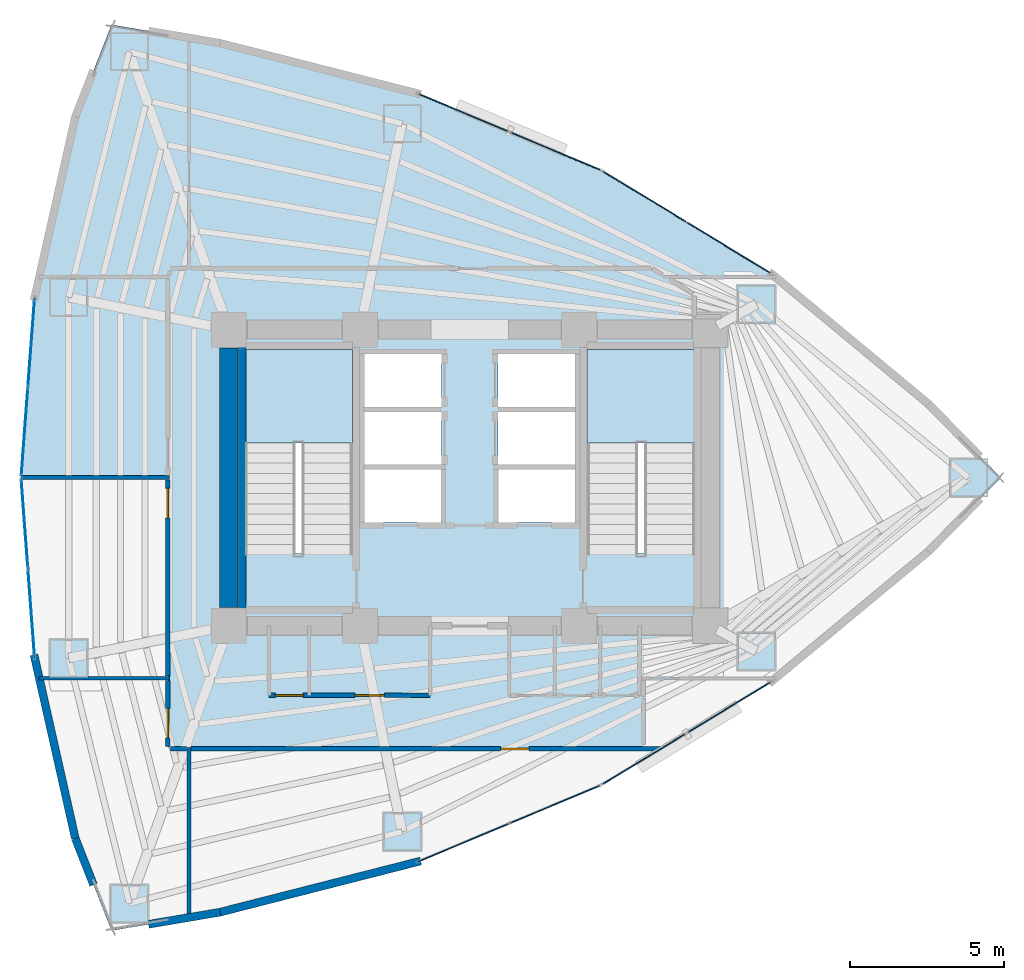
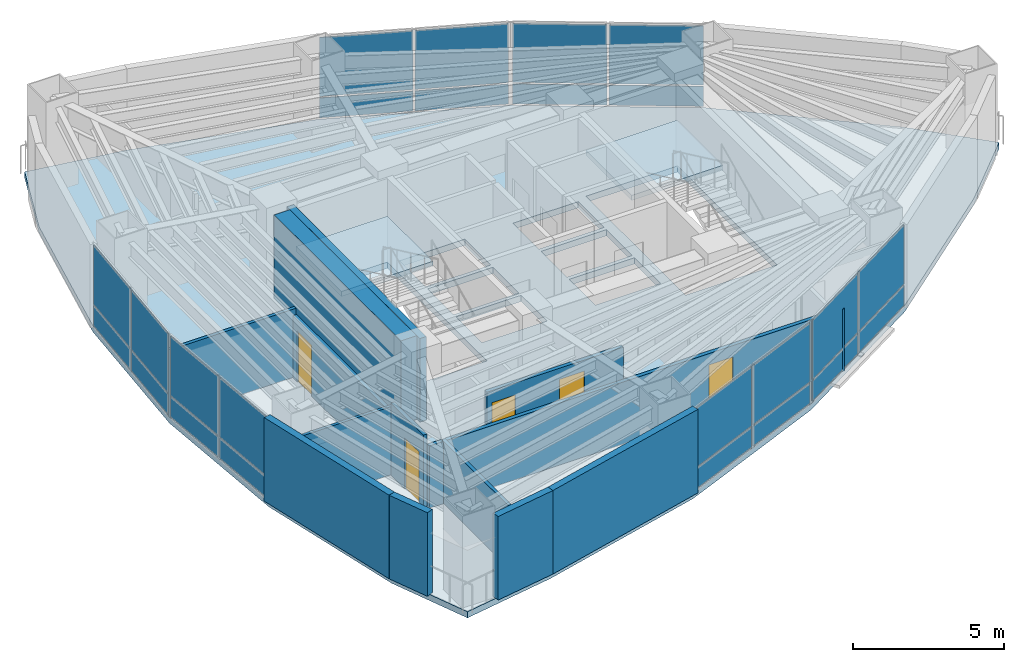
# One storey, part 12 of 16: 24 plates, 14 walls, 5 doors, 3 slabs, 5 openings, 8 elements without a shape of their own.
"""IFC4 building model written with IfcOpenShell, lengths in metres."""

import ifcopenshell
import ifcopenshell.guid

model = None  # the IFC model being written
_history = None  # IfcOwnerHistory: only IFC2X3 demands one
_inside = {}  # id of a spatial element -> (the spatial element, [elements in it])
_under = {}  # id of a project, library or spatial element -> (it, [spatial elements below it])
_declared = {}  # id of a project -> (the project, [libraries it declares])
_typed = {}  # id of a type object -> (the type object, [elements of that type])
_made_of = {}  # id of a material, layer set ... -> (it, [elements and type objects made of it])


def new_model(schema):
    """Start an empty IFC model of exactly this schema.

    Asked for "IFC4X3", IfcOpenShell would pick the latest addendum, in which some entities
    have other attributes; the version numbers below select the first issue.
    IFC2X3 requires an IfcOwnerHistory on every rooted entity: one is made here for all.
    """
    global model, _history
    if schema == "IFC4X3":
        model = ifcopenshell.file(schema_version=(4, 3, 0, 0))
    else:
        model = ifcopenshell.file(schema=schema)
    _inside.clear()
    _under.clear()
    _declared.clear()
    _typed.clear()
    _made_of.clear()
    _history = None
    if model.schema == "IFC2X3":
        org = make("IfcOrganization", Name="unknown")
        user = make(
            "IfcPersonAndOrganization",
            ThePerson=make("IfcPerson", FamilyName="unknown"),
            TheOrganization=org,
        )
        app = make(
            "IfcApplication",
            ApplicationDeveloper=org,
            Version="unknown",
            ApplicationFullName="unknown",
            ApplicationIdentifier="unknown",
        )
        _history = make(
            "IfcOwnerHistory",
            OwningUser=user,
            OwningApplication=app,
            ChangeAction="ADDED",
            CreationDate=0,
        )
    return model


def make(cls, **values):
    """One entity of the class cls with the attributes given. An attribute that is None is left unset."""
    return model.create_entity(
        cls, **{name: value for name, value in values.items() if value is not None}
    )


def rooted(cls, **values):
    """An entity with a GlobalId (a new one), such as an element, a storey or a relation."""
    return make(cls, GlobalId=ifcopenshell.guid.new(), OwnerHistory=_history, **values)


def si_unit(unit_type, name, prefix=None):
    """IfcSIUnit, for example si_unit("LENGTHUNIT", "METRE", prefix="MILLI")."""
    return make("IfcSIUnit", UnitType=unit_type, Prefix=prefix, Name=name)


def assignment(units):
    """IfcUnitAssignment: the units of a project."""
    return None if units is None else make("IfcUnitAssignment", Units=units)


def point(xyz):
    """IfcCartesianPoint."""
    return None if xyz is None else make("IfcCartesianPoint", Coordinates=xyz)


def direction(xyz):
    """IfcDirection."""
    return None if xyz is None else make("IfcDirection", DirectionRatios=xyz)


def frame(location, z_axis=None, x_axis=None):
    """IfcAxis2Placement3D, a coordinate frame: its origin and axes. An axis left out is left unset."""
    return make(
        "IfcAxis2Placement3D",
        Location=point(location),
        Axis=direction(z_axis),
        RefDirection=direction(x_axis),
    )


def frame_2d(location, x_axis=None):
    """IfcAxis2Placement2D, a coordinate frame in the plane: its origin and x axis."""
    return make(
        "IfcAxis2Placement2D", Location=point(location), RefDirection=direction(x_axis)
    )


def origin():
    """The frame at (0, 0, 0) with its axes left unset."""
    return frame((0.0, 0.0, 0.0))


def origin_2d():
    """The frame at (0, 0) in the plane with its x axis left unset."""
    return frame_2d((0.0, 0.0))


def place(relative_to, where):
    """IfcLocalPlacement: puts the frame where relative to a parent placement (None: the world)."""
    return make(
        "IfcLocalPlacement", PlacementRelTo=relative_to, RelativePlacement=where
    )


def context(
    kind, dimensions, precision=None, world=None, true_north=None, identifier=None
):
    """IfcGeometricRepresentationContext, for example the 3D "Model" context."""
    return make(
        "IfcGeometricRepresentationContext",
        ContextIdentifier=identifier,
        ContextType=kind,
        CoordinateSpaceDimension=dimensions,
        Precision=precision,
        WorldCoordinateSystem=world,
        TrueNorth=true_north,
    )


def subcontext(parent, identifier, kind, view, scale=None):
    """IfcGeometricRepresentationSubContext, for example "Body" below "Model"."""
    return make(
        "IfcGeometricRepresentationSubContext",
        ContextIdentifier=identifier,
        ContextType=kind,
        ParentContext=parent,
        TargetScale=scale,
        TargetView=view,
    )


def project(units=None, contexts=None):
    """IfcProject with its units and contexts."""
    return rooted(
        "IfcProject",
        Name="project",
        RepresentationContexts=contexts,
        UnitsInContext=assignment(units),
    )


def spatial(cls, under=None, at=None, **own):
    """A site, building, storey or space (cls), placed at a placement, below another one or the project."""
    s = rooted(cls, ObjectPlacement=at, **own)
    if under is not None:
        _under.setdefault(under.id(), (under, []))[1].append(s)
    return s


def polyline(points):
    """IfcPolyline through the points."""
    return make("IfcPolyline", Points=[point(p) for p in points])


def profile(cls, at=None, kind="AREA", **sizes):
    """A parametric profile (cls). Its sizes go by their IFC names, for example OverallWidth=200.0."""
    return make(cls, ProfileType=kind, Position=at, **sizes)


def rectangle(**sizes):
    """IfcRectangleProfileDef."""
    return profile("IfcRectangleProfileDef", **sizes)


def outline(outer, holes=None, kind="AREA"):
    """IfcArbitraryClosedProfileDef: a profile drawn as a closed curve; with holes, ...WithVoids."""
    if holes is None:
        return make("IfcArbitraryClosedProfileDef", ProfileType=kind, OuterCurve=outer)
    return make(
        "IfcArbitraryProfileDefWithVoids",
        ProfileType=kind,
        OuterCurve=outer,
        InnerCurves=holes,
    )


def extrude(swept, where, along, depth):
    """IfcExtrudedAreaSolid: the profile swept, set in the frame where, extruded along a direction by depth."""
    return make(
        "IfcExtrudedAreaSolid",
        SweptArea=swept,
        Position=where,
        ExtrudedDirection=direction(along),
        Depth=depth,
    )


def shape(context_of_items, identifier, shape_type, items):
    """IfcShapeRepresentation: the items that make up one representation, for example the "Body"."""
    return make(
        "IfcShapeRepresentation",
        ContextOfItems=context_of_items,
        RepresentationIdentifier=identifier,
        RepresentationType=shape_type,
        Items=items,
    )


def material(Name=None, Category=None):
    """IfcMaterial."""
    return make("IfcMaterial", Name=Name, Category=Category)


def layer(
    of_material, thickness, ventilated=None, Name=None, Category=None, Priority=None
):
    """IfcMaterialLayer: one layer of a wall or slab, of a material (None: an air gap)."""
    return make(
        "IfcMaterialLayer",
        Material=of_material,
        LayerThickness=thickness,
        IsVentilated=ventilated,
        Name=Name,
        Category=Category,
        Priority=Priority,
    )


def layer_set(layers, Name=None):
    """IfcMaterialLayerSet."""
    return make("IfcMaterialLayerSet", MaterialLayers=layers, LayerSetName=Name)


def made_of(thing, what):
    """Note that an element or type object is made of a material, layer set ...; save() writes the relation."""
    if what is not None:
        _made_of.setdefault(what.id(), (what, []))[1].append(thing)
    return thing


def type_object(cls, material=None, **own):
    """A type object (cls), such as IfcWallType, which elements share."""
    return made_of(rooted(cls, **own), material)


def element(
    cls,
    number,
    at=None,
    inside=None,
    cuts=None,
    type_object=None,
    material=None,
    context=None,
    identifier="Body",
    shape_type=None,
    held_by="IfcProductDefinitionShape",
    body=None,
    shapes=None,
    **own,
):
    """One element of the class cls, such as IfcWall. Its Tag is "e" and its number.

    at: its placement. inside: the storey or other place that contains it. cuts: it is an
    opening in that element (IfcRelVoidsElement). A single representation is given by context,
    identifier, shape_type and body (its items); several are given by shapes. held_by: the class
    of the entity that holds the representations. save() writes the other relations.
    """
    e = rooted(cls, Tag="e%d" % number, ObjectPlacement=at, **own)
    if body is not None:
        shapes = [shape(context, identifier, shape_type, body)]
    if shapes is not None:
        e.Representation = make(held_by, Representations=shapes)
    if inside is not None:
        _inside.setdefault(inside.id(), (inside, []))[1].append(e)
    if cuts is not None:
        rooted(
            "IfcRelVoidsElement", RelatingBuildingElement=cuts, RelatedOpeningElement=e
        )
    if type_object is not None:
        _typed.setdefault(type_object.id(), (type_object, []))[1].append(e)
    return made_of(e, material)


def fill(opening, filler):
    """IfcRelFillsElement: the door or window that sits in an opening."""
    return rooted(
        "IfcRelFillsElement",
        RelatingOpeningElement=opening,
        RelatedBuildingElement=filler,
    )


def aggregate(whole, parts):
    """IfcRelAggregates: a whole, such as a stair, and the parts it consists of."""
    return rooted("IfcRelAggregates", RelatingObject=whole, RelatedObjects=parts)


def save(model, path):
    """Write the relations noted so far, then the file.

    IfcRelAggregates (storeys below a building ...), IfcRelContainedInSpatialStructure (elements
    in a storey), IfcRelDefinesByType, IfcRelAssociatesMaterial and IfcRelDeclares: one each for
    every whole, place, type object, material and project.
    """
    for whole, parts in _under.values():
        aggregate(whole, parts)
    for where, things in _inside.values():
        rooted(
            "IfcRelContainedInSpatialStructure",
            RelatedElements=things,
            RelatingStructure=where,
        )
    for kind, things in _typed.values():
        rooted("IfcRelDefinesByType", RelatedObjects=things, RelatingType=kind)
    for what, things in _made_of.values():
        rooted("IfcRelAssociatesMaterial", RelatedObjects=things, RelatingMaterial=what)
    for by, libraries in _declared.values():
        rooted("IfcRelDeclares", RelatingContext=by, RelatedDefinitions=libraries)
    model.write(path)


model = new_model("IFC4")

# Units and contexts
model_context = context("Model", 3, precision=1e-05, world=origin(), true_north=direction((0.0, 1.0)))
body_context = subcontext(model_context, "Body", "Model", "MODEL_VIEW")
ifc_project = project(units=[si_unit("LENGTHUNIT", "METRE"), si_unit("AREAUNIT", "SQUARE_METRE"), si_unit("VOLUMEUNIT", "CUBIC_METRE"), si_unit("PLANEANGLEUNIT", "RADIAN"), si_unit("MASSUNIT", "GRAM", prefix="KILO")], contexts=[model_context])

# Site, building, storey
site_placement = place(None, origin())
site = spatial("IfcSite", under=ifc_project, at=site_placement, CompositionType="ELEMENT")
building_placement = place(site_placement, origin())
building = spatial("IfcBuilding", under=site, at=building_placement, Name="Menara Vayukalpa", CompositionType="ELEMENT")
storey_placement = place(building_placement, frame((0.0, 0.0, 79.679931640625)))
storey = spatial("IfcBuildingStorey", under=building, at=storey_placement, Name="L19", CompositionType="ELEMENT", Elevation=79.679931640625)

# Curtain wall, plates
ifc_material_1 = material(Name="Anodised Terracotta Aluminium Alloy 6063-T6", Category="masonry")
ifc_layer_1 = layer(ifc_material_1, 0.1650390625)
ifc_layer_set_1 = layer_set([ifc_layer_1], Name="Anodised Terracotta Aluminium Alloy 6063-T6")
curtain_wall_type = type_object("IfcCurtainWallType", Name="CW-CW2", PredefinedType="USERDEFINED", material=ifc_layer_set_1)
curtain_wall_1_placement = place(storey_placement, origin())
curtain_wall_1 = element("IfcCurtainWall", 1, at=curtain_wall_1_placement, inside=storey, type_object=curtain_wall_type, Name="L19 Low Rise Terracotta Ribbon Curtain Wall CW2 04", ObjectType="UNITISED", PredefinedType="USERDEFINED")
ifc_material_2 = material(Name="Low-E Double Glazing", Category="glass")
ifc_layer_2 = layer(ifc_material_2, 0.031982421875)
ifc_layer_set_2 = layer_set([ifc_layer_2], Name="Low-E Double Glazing")
plate_type = type_object("IfcPlateType", Name="CWP-CW2", PredefinedType="CURTAIN_PANEL", material=ifc_layer_set_2)
plate_1_placement = place(storey_placement, frame((33.990966796875, 29.44921875, 0.06494140625), z_axis=(0.0, 0.0, 1.0), x_axis=(-0.854663123674, 0.519182959112, 0.0)))
plate_1 = element("IfcPlate", 2, at=plate_1_placement, type_object=plate_type, Name="CW2 panel 1.1", PredefinedType="CURTAIN_PANEL", context=body_context, shape_type="SweptSolid", body=[
    extrude(rectangle(XDim=3.12451171875, YDim=0.031982421875, at=origin_2d()), origin(), (0.0, 0.0, 1.0), 0.802490234375),
])
plate_2_placement = place(storey_placement, frame((33.990966796875, 29.44921875, 0.9326171875), z_axis=(0.0, 0.0, 1.0), x_axis=(-0.854663123674, 0.519182959112, 0.0)))
plate_2 = element("IfcPlate", 3, at=plate_2_placement, type_object=plate_type, Name="CW2 panel 1.2", PredefinedType="CURTAIN_PANEL", context=body_context, shape_type="SweptSolid", body=[
    extrude(rectangle(XDim=3.12451171875, YDim=0.031982421875, at=origin_2d()), origin(), (0.0, 0.0, 1.0), 2.382568359375),
])
plate_3_placement = place(storey_placement, frame((31.260986328125, 31.10791015625, 0.06494140625), z_axis=(0.0, 0.0, 1.0), x_axis=(-0.854663123674, 0.519182959112, 0.0)))
plate_3 = element("IfcPlate", 4, at=plate_3_placement, type_object=plate_type, Name="CW2 panel 2.1", PredefinedType="CURTAIN_PANEL", context=body_context, shape_type="SweptSolid", body=[
    extrude(rectangle(XDim=3.12451171875, YDim=0.031982421875, at=origin_2d()), origin(), (0.0, 0.0, 1.0), 0.802490234375),
])
plate_4_placement = place(storey_placement, frame((31.260986328125, 31.10791015625, 0.9326171875), z_axis=(0.0, 0.0, 1.0), x_axis=(-0.854663123674, 0.519182959112, 0.0)))
plate_4 = element("IfcPlate", 5, at=plate_4_placement, type_object=plate_type, Name="CW2 panel 2.2", PredefinedType="CURTAIN_PANEL", context=body_context, shape_type="SweptSolid", body=[
    extrude(rectangle(XDim=3.12451171875, YDim=0.031982421875, at=origin_2d()), origin(), (0.0, 0.0, 1.0), 2.382568359375),
])
aggregate(curtain_wall_1, [plate_1, plate_2, plate_3, plate_4])

curtain_wall_2_placement = place(storey_placement, origin())
curtain_wall_2 = element("IfcCurtainWall", 6, at=curtain_wall_2_placement, inside=storey, type_object=curtain_wall_type, Name="L19 Low Rise Terracotta Ribbon Curtain Wall CW2 05", ObjectType="UNITISED", PredefinedType="USERDEFINED")
plate_5_placement = place(storey_placement, frame((28.360107421875, 32.5849609375, 0.06494140625), z_axis=(0.0, 0.0, 1.0), x_axis=(-0.922543300632, 0.38589358437, 0.0)))
plate_5 = element("IfcPlate", 7, at=plate_5_placement, type_object=plate_type, Name="CW2 panel 1.1", PredefinedType="CURTAIN_PANEL", context=body_context, shape_type="SweptSolid", body=[
    extrude(rectangle(XDim=3.124267578125, YDim=0.031982421875, at=origin_2d()), origin(), (0.0, 0.0, 1.0), 0.802490234375),
])
plate_6_placement = place(storey_placement, frame((28.360107421875, 32.5849609375, 0.9326171875), z_axis=(0.0, 0.0, 1.0), x_axis=(-0.922543300632, 0.38589358437, 0.0)))
plate_6 = element("IfcPlate", 8, at=plate_6_placement, type_object=plate_type, Name="CW2 panel 1.2", PredefinedType="CURTAIN_PANEL", context=body_context, shape_type="SweptSolid", body=[
    extrude(rectangle(XDim=3.124267578125, YDim=0.031982421875, at=origin_2d()), origin(), (0.0, 0.0, 1.0), 2.382568359375),
])
plate_7_placement = place(storey_placement, frame((25.4130859375, 33.817626953125, 0.06494140625), z_axis=(0.0, 0.0, 1.0), x_axis=(-0.922543300632, 0.38589358437, 0.0)))
plate_7 = element("IfcPlate", 9, at=plate_7_placement, type_object=plate_type, Name="CW2 panel 2.1", PredefinedType="CURTAIN_PANEL", context=body_context, shape_type="SweptSolid", body=[
    extrude(rectangle(XDim=3.124267578125, YDim=0.031982421875, at=origin_2d()), origin(), (0.0, 0.0, 1.0), 0.802490234375),
])
plate_8_placement = place(storey_placement, frame((25.4130859375, 33.817626953125, 0.9326171875), z_axis=(0.0, 0.0, 1.0), x_axis=(-0.922543300632, 0.38589358437, 0.0)))
plate_8 = element("IfcPlate", 10, at=plate_8_placement, type_object=plate_type, Name="CW2 panel 2.2", PredefinedType="CURTAIN_PANEL", context=body_context, shape_type="SweptSolid", body=[
    extrude(rectangle(XDim=3.124267578125, YDim=0.031982421875, at=origin_2d()), origin(), (0.0, 0.0, 1.0), 2.382568359375),
])
aggregate(curtain_wall_2, [plate_5, plate_6, plate_7, plate_8])

curtain_wall_3_placement = place(storey_placement, origin())
curtain_wall_3 = element("IfcCurtainWall", 11, at=curtain_wall_3_placement, inside=storey, type_object=curtain_wall_type, Name="L19 Low Rise Terracotta Ribbon Curtain Wall CW2 10", ObjectType="UNITISED", PredefinedType="USERDEFINED")
plate_9_placement = place(storey_placement, frame((11.395751953125, 26.366943359375, 0.06494140625), z_axis=(0.0, 0.0, 1.0), x_axis=(-0.07478528334, -0.997199659745, 0.0)))
plate_9 = element("IfcPlate", 12, at=plate_9_placement, type_object=plate_type, Name="CW2 panel 1.1", PredefinedType="CURTAIN_PANEL", context=body_context, shape_type="SweptSolid", body=[
    extrude(rectangle(XDim=2.826171875, YDim=0.031982421875, at=origin_2d()), origin(), (0.0, 0.0, 1.0), 0.802490234375),
])
plate_10_placement = place(storey_placement, frame((11.395751953125, 26.366943359375, 0.9326171875), z_axis=(0.0, 0.0, 1.0), x_axis=(-0.07478528334, -0.997199659745, 0.0)))
plate_10 = element("IfcPlate", 13, at=plate_10_placement, type_object=plate_type, Name="CW2 panel 1.2", PredefinedType="CURTAIN_PANEL", context=body_context, shape_type="SweptSolid", body=[
    extrude(rectangle(XDim=2.826171875, YDim=0.031982421875, at=origin_2d()), origin(), (0.0, 0.0, 1.0), 2.382568359375),
])
plate_11_placement = place(storey_placement, frame((11.17919921875, 23.478759765625, 0.06494140625), z_axis=(0.0, 0.0, 1.0), x_axis=(-0.07478528334, -0.997199659745, 0.0)))
plate_11 = element("IfcPlate", 14, at=plate_11_placement, type_object=plate_type, Name="CW2 panel 2.1", PredefinedType="CURTAIN_PANEL", context=body_context, shape_type="SweptSolid", body=[
    extrude(rectangle(XDim=2.826171875, YDim=0.031982421875, at=origin_2d()), origin(), (0.0, 0.0, 1.0), 0.802490234375),
])
plate_12_placement = place(storey_placement, frame((11.17919921875, 23.478759765625, 0.9326171875), z_axis=(0.0, 0.0, 1.0), x_axis=(-0.07478528334, -0.997199659745, 0.0)))
plate_12 = element("IfcPlate", 15, at=plate_12_placement, type_object=plate_type, Name="CW2 panel 2.2", PredefinedType="CURTAIN_PANEL", context=body_context, shape_type="SweptSolid", body=[
    extrude(rectangle(XDim=2.826171875, YDim=0.031982421875, at=origin_2d()), origin(), (0.0, 0.0, 1.0), 2.382568359375),
])
aggregate(curtain_wall_3, [plate_9, plate_10, plate_11, plate_12])

curtain_wall_4_placement = place(storey_placement, origin())
curtain_wall_4 = element("IfcCurtainWall", 16, at=curtain_wall_4_placement, inside=storey, type_object=curtain_wall_type, Name="L19 Low Rise Terracotta Ribbon Curtain Wall CW2 11", ObjectType="UNITISED", PredefinedType="USERDEFINED")
plate_13_placement = place(storey_placement, frame((11.17919921875, 20.521240234375, 0.06494140625), z_axis=(0.0, 0.0, 1.0), x_axis=(0.07478528334, -0.997199659745, 0.0)))
plate_13 = element("IfcPlate", 17, at=plate_13_placement, type_object=plate_type, Name="CW2 panel 1.1", PredefinedType="CURTAIN_PANEL", context=body_context, shape_type="SweptSolid", body=[
    extrude(rectangle(XDim=2.826171875, YDim=0.031982421875, at=origin_2d()), origin(), (0.0, 0.0, 1.0), 0.802490234375),
])
plate_14_placement = place(storey_placement, frame((11.17919921875, 20.521240234375, 0.9326171875), z_axis=(0.0, 0.0, 1.0), x_axis=(0.07478528334, -0.997199659745, 0.0)))
plate_14 = element("IfcPlate", 18, at=plate_14_placement, type_object=plate_type, Name="CW2 panel 1.2", PredefinedType="CURTAIN_PANEL", context=body_context, shape_type="SweptSolid", body=[
    extrude(rectangle(XDim=2.826171875, YDim=0.031982421875, at=origin_2d()), origin(), (0.0, 0.0, 1.0), 2.382568359375),
])
plate_15_placement = place(storey_placement, frame((11.395751953125, 17.633056640625, 0.06494140625), z_axis=(0.0, 0.0, 1.0), x_axis=(0.07478528334, -0.997199659745, 0.0)))
plate_15 = element("IfcPlate", 19, at=plate_15_placement, type_object=plate_type, Name="CW2 panel 2.1", PredefinedType="CURTAIN_PANEL", context=body_context, shape_type="SweptSolid", body=[
    extrude(rectangle(XDim=2.826171875, YDim=0.031982421875, at=origin_2d()), origin(), (0.0, 0.0, 1.0), 0.802490234375),
])
plate_16_placement = place(storey_placement, frame((11.395751953125, 17.633056640625, 0.9326171875), z_axis=(0.0, 0.0, 1.0), x_axis=(0.07478528334, -0.997199659745, 0.0)))
plate_16 = element("IfcPlate", 20, at=plate_16_placement, type_object=plate_type, Name="CW2 panel 2.2", PredefinedType="CURTAIN_PANEL", context=body_context, shape_type="SweptSolid", body=[
    extrude(rectangle(XDim=2.826171875, YDim=0.031982421875, at=origin_2d()), origin(), (0.0, 0.0, 1.0), 2.382568359375),
])
aggregate(curtain_wall_4, [plate_13, plate_14, plate_15, plate_16])

curtain_wall_5_placement = place(storey_placement, origin())
curtain_wall_5 = element("IfcCurtainWall", 21, at=curtain_wall_5_placement, inside=storey, type_object=curtain_wall_type, Name="L19 Low Rise Terracotta Ribbon Curtain Wall CW2 16", ObjectType="UNITISED", PredefinedType="USERDEFINED")
plate_17_placement = place(storey_placement, frame((25.4130859375, 10.182373046875, 0.06494140625), z_axis=(0.0, 0.0, 1.0), x_axis=(0.922543300632, 0.38589358437, 0.0)))
plate_17 = element("IfcPlate", 22, at=plate_17_placement, type_object=plate_type, Name="CW2 panel 1.1", PredefinedType="CURTAIN_PANEL", context=body_context, shape_type="SweptSolid", body=[
    extrude(rectangle(XDim=3.124267578125, YDim=0.031982421875, at=origin_2d()), origin(), (0.0, 0.0, 1.0), 0.802490234375),
])
plate_18_placement = place(storey_placement, frame((25.4130859375, 10.182373046875, 0.9326171875), z_axis=(0.0, 0.0, 1.0), x_axis=(0.922543300632, 0.38589358437, 0.0)))
plate_18 = element("IfcPlate", 23, at=plate_18_placement, type_object=plate_type, Name="CW2 panel 1.2", PredefinedType="CURTAIN_PANEL", context=body_context, shape_type="SweptSolid", body=[
    extrude(rectangle(XDim=3.124267578125, YDim=0.031982421875, at=origin_2d()), origin(), (0.0, 0.0, 1.0), 2.382568359375),
])
plate_19_placement = place(storey_placement, frame((28.360107421875, 11.4150390625, 0.06494140625), z_axis=(0.0, 0.0, 1.0), x_axis=(0.922543300632, 0.38589358437, 0.0)))
plate_19 = element("IfcPlate", 24, at=plate_19_placement, type_object=plate_type, Name="CW2 panel 2.1", PredefinedType="CURTAIN_PANEL", context=body_context, shape_type="SweptSolid", body=[
    extrude(rectangle(XDim=3.124267578125, YDim=0.031982421875, at=origin_2d()), origin(), (0.0, 0.0, 1.0), 0.802490234375),
])
plate_20_placement = place(storey_placement, frame((28.360107421875, 11.4150390625, 0.9326171875), z_axis=(0.0, 0.0, 1.0), x_axis=(0.922543300632, 0.38589358437, 0.0)))
plate_20 = element("IfcPlate", 25, at=plate_20_placement, type_object=plate_type, Name="CW2 panel 2.2", PredefinedType="CURTAIN_PANEL", context=body_context, shape_type="SweptSolid", body=[
    extrude(rectangle(XDim=3.124267578125, YDim=0.031982421875, at=origin_2d()), origin(), (0.0, 0.0, 1.0), 2.382568359375),
])
aggregate(curtain_wall_5, [plate_17, plate_18, plate_19, plate_20])

curtain_wall_6_placement = place(storey_placement, origin())
curtain_wall_6 = element("IfcCurtainWall", 26, at=curtain_wall_6_placement, inside=storey, type_object=curtain_wall_type, Name="L19 Low Rise Terracotta Ribbon Curtain Wall CW2 17", ObjectType="UNITISED", PredefinedType="USERDEFINED")
plate_21_placement = place(storey_placement, frame((31.260986328125, 12.89208984375, 0.06494140625), z_axis=(0.0, 0.0, 1.0), x_axis=(0.854663123674, 0.519182959112, 0.0)))
plate_21 = element("IfcPlate", 27, at=plate_21_placement, type_object=plate_type, Name="CW2 panel 1.1", PredefinedType="CURTAIN_PANEL", context=body_context, shape_type="SweptSolid", body=[
    extrude(rectangle(XDim=3.12451171875, YDim=0.031982421875, at=origin_2d()), origin(), (0.0, 0.0, 1.0), 0.802490234375),
])
plate_22_placement = place(storey_placement, frame((31.260986328125, 12.89208984375, 0.9326171875), z_axis=(0.0, 0.0, 1.0), x_axis=(0.854663123674, 0.519182959112, 0.0)))
plate_22 = element("IfcPlate", 28, at=plate_22_placement, type_object=plate_type, Name="CW2 panel 1.2", PredefinedType="CURTAIN_PANEL", context=body_context, shape_type="SweptSolid", body=[
    extrude(rectangle(XDim=3.12451171875, YDim=0.031982421875, at=origin_2d()), origin(), (0.0, 0.0, 1.0), 2.382568359375),
])
plate_23_placement = place(storey_placement, frame((33.990966796875, 14.55078125, 0.06494140625), z_axis=(0.0, 0.0, 1.0), x_axis=(0.854663123674, 0.519182959112, 0.0)))
plate_23 = element("IfcPlate", 29, at=plate_23_placement, type_object=plate_type, Name="CW2 panel 2.1", PredefinedType="CURTAIN_PANEL", context=body_context, shape_type="SweptSolid", body=[
    extrude(rectangle(XDim=3.12451171875, YDim=0.031982421875, at=origin_2d()), origin(), (0.0, 0.0, 1.0), 0.802490234375),
])
plate_24_placement = place(storey_placement, frame((33.990966796875, 14.55078125, 0.9326171875), z_axis=(0.0, 0.0, 1.0), x_axis=(0.854663123674, 0.519182959112, 0.0)))
plate_24 = element("IfcPlate", 30, at=plate_24_placement, type_object=plate_type, Name="CW2 panel 2.2", PredefinedType="CURTAIN_PANEL", context=body_context, shape_type="SweptSolid", body=[
    extrude(rectangle(XDim=3.12451171875, YDim=0.031982421875, at=origin_2d()), origin(), (0.0, 0.0, 1.0), 2.382568359375),
])
aggregate(curtain_wall_6, [plate_21, plate_22, plate_23, plate_24])

# Slab
ifc_material_3 = material(Name="Concrete C40/50", Category="concrete")
ifc_layer_3 = layer(ifc_material_3, 0.25)
ifc_layer_set_3 = layer_set([ifc_layer_3], Name="Concrete C40/50")
slab_type_1 = type_object("IfcSlabType", Name="SLB-FL250", PredefinedType="FLOOR", material=ifc_layer_set_3)
slab_1_placement = place(storey_placement, frame((0.0, 0.0, -0.25)))
element("IfcSlab", 31, at=slab_1_placement, inside=storey, type_object=slab_type_1, Name="L19 Structural Floor Slab", PredefinedType="FLOOR", context=body_context, shape_type="SweptSolid", body=[
    extrude(outline(polyline([(40.4677734375, 19.6123046875), (42.81201171875, 22.0), (40.4677734375, 24.3876953125), (35.385986328125, 28.601806640625), (29.865966796875, 31.955078125), (23.907470703125, 34.447509765625), (17.510498046875, 36.0791015625), (13.993896484375, 36.676025390625), (12.822021484375, 33.69140625), (11.506591796875, 27.845703125), (11.068115234375, 22.0), (11.506591796875, 16.154296875), (12.822021484375, 10.30859375), (13.993896484375, 7.323974609375), (17.510498046875, 7.9208984375), (23.907470703125, 9.552490234375), (29.865966796875, 12.044921875), (35.385986328125, 15.398193359375), (40.4677734375, 19.6123046875)]), holes=[polyline([(21.800048828125, 19.550048828125), (21.800048828125, 26.14990234375), (18.300048828125, 26.14990234375), (18.300048828125, 19.550048828125), (21.800048828125, 19.550048828125)]), polyline([(32.89990234375, 19.550048828125), (32.89990234375, 26.14990234375), (29.39990234375, 26.14990234375), (29.39990234375, 19.550048828125), (32.89990234375, 19.550048828125)]), polyline([(22.179931640625, 20.550048828125), (24.679931640625, 20.550048828125), (24.679931640625, 22.27001953125), (22.179931640625, 22.27001953125), (22.179931640625, 20.550048828125)]), polyline([(26.52001953125, 20.550048828125), (29.02001953125, 20.550048828125), (29.02001953125, 22.27001953125), (26.52001953125, 22.27001953125), (26.52001953125, 20.550048828125)]), polyline([(22.179931640625, 22.419921875), (24.679931640625, 22.419921875), (24.679931640625, 24.139892578125), (22.179931640625, 24.139892578125), (22.179931640625, 22.419921875)]), polyline([(22.179931640625, 24.2900390625), (24.679931640625, 24.2900390625), (24.679931640625, 26.010009765625), (22.179931640625, 26.010009765625), (22.179931640625, 24.2900390625)]), polyline([(26.52001953125, 24.2900390625), (29.02001953125, 24.2900390625), (29.02001953125, 26.010009765625), (26.52001953125, 26.010009765625), (26.52001953125, 24.2900390625)]), polyline([(26.52001953125, 22.419921875), (29.02001953125, 22.419921875), (29.02001953125, 24.139892578125), (26.52001953125, 24.139892578125), (26.52001953125, 22.419921875)])]), origin(), (0.0, 0.0, 1.0), 0.25),
])

# Stair, slab
ifc_material_4 = material(Name="Precast Concrete C40/50", Category="concrete")
stair_type = type_object("IfcStairType", Name="STR-T04", PredefinedType="DOUBLE_RETURN_STAIR", material=ifc_material_4)
stair_1_placement = place(storey_placement, origin())
stair_1 = element("IfcStair", 32, at=stair_1_placement, inside=storey, type_object=stair_type, Name="L19 Core Exit Stair ST-1", PredefinedType="DOUBLE_RETURN_STAIR")
ifc_material_5 = material(Name="Precast Concrete C40/50", Category="concrete")
ifc_layer_4 = layer(ifc_material_5, 0.199951171875)
ifc_layer_set_4 = layer_set([ifc_layer_4], Name="Precast Concrete C40/50")
slab_type_2 = type_object("IfcSlabType", Name="SLB-LND200", PredefinedType="LANDING", material=ifc_layer_set_4)
slab_2_placement = place(storey_placement, frame((0.0, 0.0, 1.66015625)))
slab_2 = element("IfcSlab", 33, at=slab_2_placement, type_object=slab_type_2, Name="ST-1 landing 1", PredefinedType="LANDING", context=body_context, shape_type="SweptSolid", body=[
    extrude(outline(polyline([(21.800048828125, 23.1298828125), (21.800048828125, 26.14990234375), (18.300048828125, 26.14990234375), (18.300048828125, 23.1298828125), (21.800048828125, 23.1298828125)])), origin(), (0.0, 0.0, 1.0), 0.199951171875),
])
aggregate(stair_1, [slab_2])

stair_2_placement = place(storey_placement, origin())
stair_2 = element("IfcStair", 34, at=stair_2_placement, inside=storey, type_object=stair_type, Name="L19 Core Exit Stair ST-2", PredefinedType="DOUBLE_RETURN_STAIR")
slab_3_placement = place(storey_placement, frame((0.0, 0.0, 1.66015625)))
slab_3 = element("IfcSlab", 35, at=slab_3_placement, type_object=slab_type_2, Name="ST-2 landing 1", PredefinedType="LANDING", context=body_context, shape_type="SweptSolid", body=[
    extrude(outline(polyline([(32.89990234375, 23.1298828125), (32.89990234375, 26.14990234375), (29.39990234375, 26.14990234375), (29.39990234375, 23.1298828125), (32.89990234375, 23.1298828125)])), origin(), (0.0, 0.0, 1.0), 0.199951171875),
])
aggregate(stair_2, [slab_3])

# Walls
ifc_material_6 = material(Name="Concrete C70/85", Category="concrete")
ifc_layer_5 = layer(ifc_material_6, 0.60009765625)
ifc_layer_set_5 = layer_set([ifc_layer_5], Name="Concrete C70/85")
wall_type_1 = type_object("IfcWallType", Name="WAL-CW600", PredefinedType="SHEAR", material=ifc_layer_set_5)
wall_1_placement = place(storey_placement, frame((17.800048828125, 17.794921875, 0.0), z_axis=(0.0, 0.0, 1.0), x_axis=(0.0, 1.0, 0.0)))
element("IfcWall", 36, at=wall_1_placement, inside=storey, type_object=wall_type_1, Name="L19 Buttressed Core Shear Wall CWW1", PredefinedType="SHEAR", context=body_context, shape_type="SweptSolid", body=[
    extrude(rectangle(XDim=8.41015625, YDim=0.60009765625, at=frame_2d((4.205078125, 0.0))), origin(), (0.0, 0.0, 1.0), 3.380126953125),
])
ifc_material_7 = material(Name="Insulated Precast Concrete C40/50", Category="concrete")
ifc_layer_6 = layer(ifc_material_7, 0.260009765625)
ifc_layer_set_6 = layer_set([ifc_layer_6], Name="Insulated Precast Concrete C40/50")
wall_type_2 = type_object("IfcWallType", Name="WAL-EXT260", PredefinedType="PARTITIONING", material=ifc_layer_set_6)
wall_2_placement = place(storey_placement, frame((12.822021484375, 10.30859375, 0.0), z_axis=(0.0, 0.0, 1.0), x_axis=(-0.219535044336, 0.975604614743, 0.0)))
element("IfcWall", 37, at=wall_2_placement, inside=storey, type_object=wall_type_2, Name="L19 Perimeter Terracotta Pier Wall 12", PredefinedType="PARTITIONING", context=body_context, shape_type="SweptSolid", body=[
    extrude(rectangle(XDim=6.10205078125, YDim=0.260009765625, at=frame_2d((3.051025390625, 0.0))), origin(), (0.0, 0.0, 1.0), 3.380126953125),
])
wall_3_placement = place(storey_placement, frame((13.411865234375, 8.806396484375, 0.0), z_axis=(0.0, 0.0, 1.0), x_axis=(-0.365488551504, 0.930815835018, 0.0)))
element("IfcWall", 38, at=wall_3_placement, inside=storey, type_object=wall_type_2, Name="L19 Perimeter Terracotta Pier Wall 13", PredefinedType="PARTITIONING", context=body_context, shape_type="SweptSolid", body=[
    extrude(rectangle(XDim=1.61376953125, YDim=0.260009765625, at=frame_2d((0.806884765625, 0.0))), origin(), (0.0, 0.0, 1.0), 3.380126953125),
])
wall_4_placement = place(storey_placement, frame((17.516357421875, 7.921875, 0.0), z_axis=(0.0, 0.0, 1.0), x_axis=(-0.985905269947, -0.167304508875, 0.0)))
element("IfcWall", 39, at=wall_4_placement, inside=storey, type_object=wall_type_2, Name="L19 Perimeter Terracotta Pier Wall 14", PredefinedType="PARTITIONING", context=body_context, shape_type="SweptSolid", body=[
    extrude(rectangle(XDim=2.356689453125, YDim=0.260009765625, at=frame_2d((1.17822265625, 0.0))), origin(), (0.0, 0.0, 1.0), 3.380126953125),
])
wall_5_placement = place(storey_placement, frame((24.013916015625, 9.57958984375, 0.0), z_axis=(0.0, 0.0, 1.0), x_axis=(-0.968981437296, -0.247133514876, 0.0)))
element("IfcWall", 40, at=wall_5_placement, inside=storey, type_object=wall_type_2, Name="L19 Perimeter Terracotta Pier Wall 15", PredefinedType="PARTITIONING", context=body_context, shape_type="SweptSolid", body=[
    extrude(rectangle(XDim=6.717529296875, YDim=0.260009765625, at=frame_2d((3.35888671875, 0.0))), origin(), (0.0, 0.0, 1.0), 3.380126953125),
])
ifc_material_8 = material(Name="Acoustic Mineral Stud Partition", Category="masonry")
ifc_layer_7 = layer(ifc_material_8, 0.110107421875)
ifc_layer_set_7 = layer_set([ifc_layer_7], Name="Acoustic Mineral Stud Partition")
wall_type_3 = type_object("IfcWallType", Name="WAL-PT110", PredefinedType="PARTITIONING", material=ifc_layer_set_7)
wall_6_placement = place(storey_placement, frame((11.6435546875, 15.5, 0.0), z_axis=(0.0, 0.0, 1.0), x_axis=(1.0, 0.0, 0.0)))
element("IfcWall", 41, at=wall_6_placement, inside=storey, type_object=wall_type_3, Name="L19 Interior Partition IW-L19-RDIV03", PredefinedType="PARTITIONING", context=body_context, shape_type="SweptSolid", body=[
    extrude(rectangle(XDim=4.2265625, YDim=0.110107421875, at=frame_2d((2.11328125, 0.0))), origin(), (0.0, 0.0, 1.0), 2.760009765625),
])
ifc_material_9 = material(Name="Gypsum Drywall Steel Stud Assembly", Category="steel")
ifc_layer_8 = layer(ifc_material_9, 0.125)
ifc_layer_set_8 = layer_set([ifc_layer_8], Name="Gypsum Drywall Steel Stud Assembly")
wall_type_4 = type_object("IfcWallType", Name="WAL-PT125", PredefinedType="PARTITIONING", material=ifc_layer_set_8)
wall_7_placement = place(storey_placement, frame((16.5, 7.7392578125, 0.0), z_axis=(0.0, 0.0, 1.0), x_axis=(0.0, 1.0, 0.0)))
element("IfcWall", 42, at=wall_7_placement, inside=storey, type_object=wall_type_4, Name="L19 Interior Partition IW-L19-RDIV01", PredefinedType="PARTITIONING", context=body_context, shape_type="SweptSolid", body=[
    extrude(rectangle(XDim=5.520751953125, YDim=0.125, at=frame_2d((2.76025390625, 0.0))), origin(), (0.0, 0.0, 1.0), 2.510009765625),
])
wall_8_placement = place(storey_placement, frame((11.05810546875, 22.0, 0.0), z_axis=(0.0, 0.0, 1.0), x_axis=(1.0, 0.0, 0.0)))
element("IfcWall", 43, at=wall_8_placement, inside=storey, type_object=wall_type_4, Name="L19 Interior Partition IW-L19-RDIV07", PredefinedType="PARTITIONING", context=body_context, shape_type="SweptSolid", body=[
    extrude(rectangle(XDim=4.81201171875, YDim=0.125, at=frame_2d((2.406005859375, 0.0))), origin(), (0.0, 0.0, 1.0), 2.760009765625),
])

# Wall, openings, doors
ifc_material_10 = material(Name="Gypsum Drywall Acoustic Stud Assembly", Category="masonry")
ifc_layer_9 = layer(ifc_material_10, 0.14501953125)
ifc_layer_set_9 = layer_set([ifc_layer_9], Name="Gypsum Drywall Acoustic Stud Assembly")
wall_type_5 = type_object("IfcWallType", Name="WAL-PT150", PredefinedType="PARTITIONING", material=ifc_layer_set_9)
wall_9_placement = place(storey_placement, frame((19.10009765625, 14.949951171875, 0.0), z_axis=(0.0, 0.0, 1.0), x_axis=(1.0, 0.0, 0.0)))
wall_9 = element("IfcWall", 44, at=wall_9_placement, inside=storey, type_object=wall_type_5, Name="L19 Interior Partition IW-L19-SVCS-W", PredefinedType="PARTITIONING", context=body_context, shape_type="SweptSolid", body=[
    extrude(rectangle(XDim=5.219970703125, YDim=0.14501953125, at=frame_2d((2.60986328125, 0.0))), origin(), (0.0, 0.0, 1.0), 2.510009765625),
])
opening_1_placement = place(wall_9_placement, frame((0.199951171875, 0.0, 0.0)))
opening_1 = element("IfcOpeningElement", 45, at=opening_1_placement, cuts=wall_9, Name="Opening ID7", PredefinedType="OPENING", context=body_context, shape_type="SweptSolid", body=[
    extrude(rectangle(XDim=0.89990234375, YDim=2.02001953125, at=frame_2d((0.449951171875, 1.010009765625))), frame((0.0, 0.08251953125, 0.0), z_axis=(0.0, -1.0, 0.0), x_axis=(1.0, 0.0, 0.0)), (0.0, 0.0, 1.0), 0.1650390625),
])
opening_2_placement = place(wall_9_placement, frame((2.784912109375, 0.0, 0.0)))
opening_2 = element("IfcOpeningElement", 46, at=opening_2_placement, cuts=wall_9, Name="Opening ID5", PredefinedType="OPENING", context=body_context, shape_type="SweptSolid", body=[
    extrude(rectangle(XDim=0.949951171875, YDim=2.06005859375, at=frame_2d((0.47509765625, 1.030029296875))), frame((0.0, 0.08251953125, 0.0), z_axis=(0.0, -1.0, 0.0), x_axis=(1.0, 0.0, 0.0)), (0.0, 0.0, 1.0), 0.1650390625),
])
ifc_material_11 = material(Name="Acoustic Hardwood Veneer Timber Door", Category="wood")
door_type_1 = type_object("IfcDoorType", Name="DR-INT95", OperationType="NOTDEFINED", PredefinedType="DOOR", material=ifc_material_11)
door_1_placement = place(opening_2_placement, origin())
door_1 = element("IfcDoor", 47, at=door_1_placement, inside=storey, type_object=door_type_1, Name="L19 Interior Door DR-L19-AWC", OperationType="SINGLE_SWING_LEFT", OverallHeight=2.06005859375, OverallWidth=0.949951171875, PredefinedType="DOOR", context=body_context, shape_type="SweptSolid", body=[
    extrude(rectangle(XDim=0.949951171875, YDim=2.06005859375, at=frame_2d((0.47509765625, 1.030029296875))), frame((0.0, 0.02490234375, 0.0), z_axis=(0.0, -1.0, 0.0), x_axis=(1.0, 0.0, 0.0)), (0.0, 0.0, 1.0), 0.050048828125),
])
fill(opening_2, door_1)
ifc_material_12 = material(Name="Powder-Coated Steel Riser Access Door", Category="steel")
door_type_2 = type_object("IfcDoorType", Name="DR-RISER", OperationType="NOTDEFINED", PredefinedType="DOOR", material=ifc_material_12)
door_2_placement = place(opening_1_placement, origin())
door_2 = element("IfcDoor", 48, at=door_2_placement, inside=storey, type_object=door_type_2, Name="L19 Interior Door DR-L19-ELR", OperationType="SINGLE_SWING_RIGHT", OverallHeight=2.02001953125, OverallWidth=0.89990234375, PredefinedType="DOOR", context=body_context, shape_type="SweptSolid", body=[
    extrude(rectangle(XDim=0.89990234375, YDim=2.02001953125, at=frame_2d((0.449951171875, 1.010009765625))), frame((0.0, 0.02490234375, 0.0), z_axis=(0.0, -1.0, 0.0), x_axis=(1.0, 0.0, 0.0)), (0.0, 0.0, 1.0), 0.050048828125),
])
fill(opening_1, door_2)

# Wall, opening, door
wall_10_placement = place(storey_placement, frame((15.820068359375, 21.929931640625, 0.0), z_axis=(0.0, 0.0, 1.0), x_axis=(0.0, -1.0, 0.0)))
wall_10 = element("IfcWall", 49, at=wall_10_placement, inside=storey, type_object=wall_type_5, Name="L19 Interior Partition IW-L19-CRM01-1", PredefinedType="PARTITIONING", context=body_context, shape_type="SweptSolid", body=[
    extrude(rectangle(XDim=6.35986328125, YDim=0.14501953125, at=frame_2d((3.179931640625, 0.0))), origin(), (0.0, 0.0, 1.0), 2.510009765625),
])
opening_3_placement = place(wall_10_placement, frame((0.280029296875, 0.0, 0.0)))
opening_3 = element("IfcOpeningElement", 50, at=opening_3_placement, cuts=wall_10, Name="Opening ID5", PredefinedType="OPENING", context=body_context, shape_type="SweptSolid", body=[
    extrude(rectangle(XDim=0.949951171875, YDim=2.06005859375, at=frame_2d((0.47509765625, 1.030029296875))), frame((0.0, 0.08251953125, 0.0), z_axis=(0.0, -1.0, 0.0), x_axis=(1.0, 0.0, 0.0)), (0.0, 0.0, 1.0), 0.1650390625),
])
door_3_placement = place(opening_3_placement, origin())
door_3 = element("IfcDoor", 51, at=door_3_placement, inside=storey, type_object=door_type_1, Name="L19 Interior Door DR-L19-RM01", OperationType="SINGLE_SWING_LEFT", OverallHeight=2.06005859375, OverallWidth=0.949951171875, PredefinedType="DOOR", context=body_context, shape_type="SweptSolid", body=[
    extrude(rectangle(XDim=0.949951171875, YDim=2.06005859375, at=frame_2d((0.47509765625, 1.030029296875))), frame((0.0, 0.02490234375, 0.0), z_axis=(0.0, -1.0, 0.0), x_axis=(1.0, 0.0, 0.0)), (0.0, 0.0, 1.0), 0.050048828125),
])
fill(opening_3, door_3)

wall_11_placement = place(storey_placement, frame((15.820068359375, 15.429931640625, 0.0), z_axis=(0.0, 0.0, 1.0), x_axis=(0.0, -1.0, 0.0)))
wall_11 = element("IfcWall", 52, at=wall_11_placement, inside=storey, type_object=wall_type_5, Name="L19 Interior Partition IW-L19-CRM03-1", PredefinedType="PARTITIONING", context=body_context, shape_type="SweptSolid", body=[
    extrude(rectangle(XDim=2.139892578125, YDim=0.14501953125, at=frame_2d((1.06982421875, 0.0))), origin(), (0.0, 0.0, 1.0), 2.91015625),
])
opening_4_placement = place(wall_11_placement, frame((0.909912109375, 0.0, 0.0)))
opening_4 = element("IfcOpeningElement", 53, at=opening_4_placement, cuts=wall_11, Name="Opening ID5", PredefinedType="OPENING", context=body_context, shape_type="SweptSolid", body=[
    extrude(rectangle(XDim=0.949951171875, YDim=2.06005859375, at=frame_2d((0.47509765625, 1.030029296875))), frame((0.0, 0.08251953125, 0.0), z_axis=(0.0, -1.0, 0.0), x_axis=(1.0, 0.0, 0.0)), (0.0, 0.0, 1.0), 0.1650390625),
])
door_4_placement = place(opening_4_placement, origin())
door_4 = element("IfcDoor", 54, at=door_4_placement, inside=storey, type_object=door_type_1, Name="L19 Interior Door DR-L19-RM03", OperationType="SINGLE_SWING_RIGHT", OverallHeight=2.06005859375, OverallWidth=0.949951171875, PredefinedType="DOOR", context=body_context, shape_type="SweptSolid", body=[
    extrude(rectangle(XDim=0.949951171875, YDim=2.06005859375, at=frame_2d((0.47509765625, 1.030029296875))), frame((0.0, 0.02490234375, 0.0), z_axis=(0.0, -1.0, 0.0), x_axis=(1.0, 0.0, 0.0)), (0.0, 0.0, 1.0), 0.050048828125),
])
fill(opening_4, door_4)

# Wall
wall_12_placement = place(storey_placement, frame((15.89990234375, 13.2099609375, 0.0), z_axis=(0.0, 0.0, 1.0), x_axis=(1.0, 0.0, 0.0)))
element("IfcWall", 55, at=wall_12_placement, inside=storey, type_object=wall_type_5, Name="L19 Interior Partition IW-L19-CRM03-2", PredefinedType="PARTITIONING", context=body_context, shape_type="SweptSolid", body=[
    extrude(rectangle(XDim=0.530029296875, YDim=0.14501953125, at=frame_2d((0.26513671875, 0.0))), origin(), (0.0, 0.0, 1.0), 2.510009765625),
])

# Wall, opening, door
wall_13_placement = place(storey_placement, frame((16.570068359375, 13.2099609375, 0.0), z_axis=(0.0, 0.0, 1.0), x_axis=(1.0, 0.0, 0.0)))
wall_13 = element("IfcWall", 56, at=wall_13_placement, inside=storey, type_object=wall_type_5, Name="L19 Interior Partition IW-L19-CRM04-1", PredefinedType="PARTITIONING", context=body_context, shape_type="SweptSolid", body=[
    extrude(rectangle(XDim=15.2138671875, YDim=0.14501953125, at=frame_2d((7.60693359375, 0.0))), origin(), (0.0, 0.0, 1.0), 2.510009765625),
])
opening_5_placement = place(wall_13_placement, frame((10.029296875, 0.0, 0.0)))
opening_5 = element("IfcOpeningElement", 57, at=opening_5_placement, cuts=wall_13, Name="Opening ID6", PredefinedType="OPENING", context=body_context, shape_type="SweptSolid", body=[
    extrude(rectangle(XDim=0.919921875, YDim=2.050048828125, at=frame_2d((0.4599609375, 1.02490234375))), frame((0.0, 0.08251953125, 0.0), z_axis=(0.0, -1.0, 0.0), x_axis=(1.0, 0.0, 0.0)), (0.0, 0.0, 1.0), 0.1650390625),
])
ifc_material_13 = material(Name="Acoustic Hardwood Veneer Timber Door", Category="wood")
door_type_3 = type_object("IfcDoorType", Name="DR-INT92", OperationType="NOTDEFINED", PredefinedType="DOOR", material=ifc_material_13)
door_5_placement = place(opening_5_placement, origin())
door_5 = element("IfcDoor", 58, at=door_5_placement, inside=storey, type_object=door_type_3, Name="L19 Interior Door DR-L19-RM04", OperationType="SINGLE_SWING_LEFT", OverallHeight=2.050048828125, OverallWidth=0.919921875, PredefinedType="DOOR", context=body_context, shape_type="SweptSolid", body=[
    extrude(rectangle(XDim=0.919921875, YDim=2.050048828125, at=frame_2d((0.4599609375, 1.02490234375))), frame((0.0, 0.02490234375, 0.0), z_axis=(0.0, -1.0, 0.0), x_axis=(1.0, 0.0, 0.0)), (0.0, 0.0, 1.0), 0.050048828125),
])
fill(opening_5, door_5)

# Wall
ifc_material_14 = material(Name="Concrete C50/60", Category="concrete")
ifc_layer_10 = layer(ifc_material_14, 0.25)
ifc_layer_set_10 = layer_set([ifc_layer_10], Name="Concrete C50/60")
wall_type_6 = type_object("IfcWallType", Name="WAL-SW250", PredefinedType="SHEAR", material=ifc_layer_set_10)
wall_14_placement = place(storey_placement, frame((18.22900390625, 17.60009765625, 0.0), z_axis=(0.0, 0.0, 1.0), x_axis=(0.0, 1.0, 0.0)))
element("IfcWall", 59, at=wall_14_placement, inside=storey, type_object=wall_type_6, Name="L19 ST1 Structural Stair Shaft Wall W", PredefinedType="SHEAR", context=body_context, shape_type="SweptSolid", body=[
    extrude(rectangle(XDim=8.7998046875, YDim=0.25, at=frame_2d((4.39990234375, 0.0))), origin(), (0.0, 0.0, 1.0), 3.380126953125),
])

save(model, "model.ifc")
